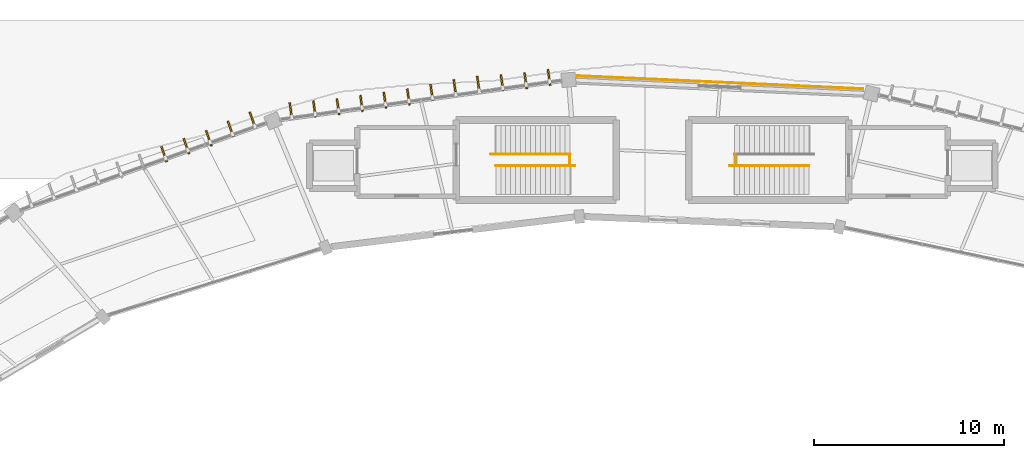
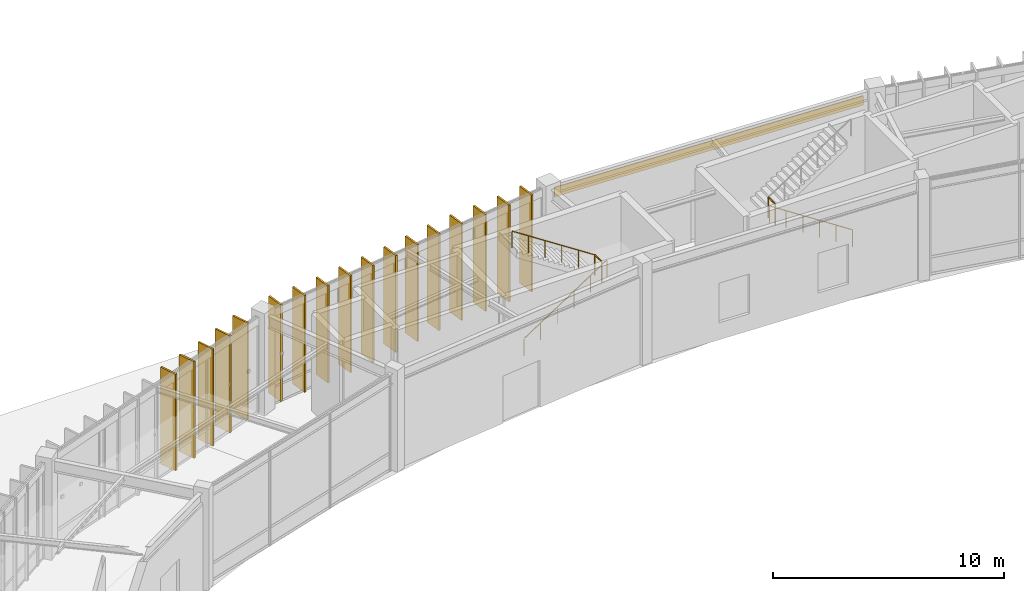
# One storey, part 151 of 157: 17 shading devices, 5 railings, 1 covering.
"""IFC4 building model written with IfcOpenShell, lengths in metres."""

from ifc_helpers import new_model, si_unit, direction, frame, origin, origin_2d, place, context, subcontext, project, spatial, polyline, rectangle, circle, outline, extrude, material, layer, layer_set, type_object, element, save


model = new_model("IFC4")

# Units and contexts
model_context = context("Model", 3, precision=1e-05, world=origin(), true_north=direction((0.0, 1.0)))
body_context = subcontext(model_context, "Body", "Model", "MODEL_VIEW")
ifc_project = project(units=[si_unit("LENGTHUNIT", "METRE"), si_unit("AREAUNIT", "SQUARE_METRE"), si_unit("VOLUMEUNIT", "CUBIC_METRE"), si_unit("PLANEANGLEUNIT", "RADIAN"), si_unit("MASSUNIT", "GRAM", prefix="KILO"), si_unit("THERMODYNAMICTEMPERATUREUNIT", "KELVIN"), si_unit("POWERUNIT", "WATT")], contexts=[model_context])

# Site, building, storey
site_placement = place(None, origin())
site = spatial("IfcSite", under=ifc_project, at=site_placement, CompositionType="ELEMENT")
building_placement = place(site_placement, origin())
building = spatial("IfcBuilding", under=site, at=building_placement, Name="Darbajah Civic Hall", CompositionType="ELEMENT")
storey_placement = place(building_placement, origin())
storey = spatial("IfcBuildingStorey", under=building, at=storey_placement, Name="L00", CompositionType="ELEMENT", Elevation=0.0)

# Railings
ifc_material_1 = material(Name="Brushed Bronze Stainless Steel", Category="steel")
railing_type_1 = type_object("IfcRailingType", Name="Brushed Bronze Handrail", PredefinedType="HANDRAIL", material=ifc_material_1)
railing_placement = place(storey_placement, frame((81.280029296875, 114.699951171875, 0.168701171875)))
element("IfcRailing", 1, at=railing_placement, inside=storey, type_object=railing_type_1, Name="ST01 L00 lower flight handrail", PredefinedType="HANDRAIL", context=body_context, shape_type="SweptSolid", body=[
    extrude(circle(Radius=0.02392578125, at=origin_2d()), frame((0.02294921875, 0.0, 0.910888671875), z_axis=(0.837079509808, 0.0, 0.547081250145), x_axis=(0.0, 1.0, 0.0)), (0.0, 0.0, 1.0), 4.9150390625),
    extrude(circle(Radius=0.02099609375, at=origin_2d()), origin(), (0.0, 0.0, 1.0), 0.867919921875),
    extrude(circle(Radius=0.02099609375, at=origin_2d()), frame((0.83203125, 0.0, 0.543701171875)), (0.0, 0.0, 1.0), 0.867919921875),
    extrude(circle(Radius=0.02099609375, at=origin_2d()), frame((1.6640625, 0.0, 1.08740234375)), (0.0, 0.0, 1.0), 0.867919921875),
    extrude(circle(Radius=0.02099609375, at=origin_2d()), frame((2.495849609375, 0.0, 1.63134765625)), (0.0, 0.0, 1.0), 0.867919921875),
    extrude(circle(Radius=0.02099609375, at=origin_2d()), frame((3.327880859375, 0.0, 2.175048828125)), (0.0, 0.0, 1.0), 0.867919921875),
    extrude(circle(Radius=0.02099609375, at=origin_2d()), frame((4.159912109375, 0.0, 2.71875)), (0.0, 0.0, 1.0), 0.867919921875),
])
for number, where, name in (
    (2, (85.179931640625, 115.300048828125, 2.86865234375), "ST01 L00 upper flight handrail"),
    (3, (97.719970703125, 114.699951171875, 0.168701171875), "ST02 L00 lower flight handrail"),
):
    element("IfcRailing", number, at=place(storey_placement, frame(where)), inside=storey, type_object=railing_type_1, Name=name, PredefinedType="HANDRAIL", context=body_context, shape_type="SweptSolid", body=[
        extrude(circle(Radius=0.02392578125, at=origin_2d()), frame((-0.02294921875, 0.0, 0.910888671875), z_axis=(-0.837079509808, 0.0, 0.547081250145), x_axis=(0.0, -1.0, 0.0)), (0.0, 0.0, 1.0), 4.9150390625),
        extrude(circle(Radius=0.02099609375, at=origin_2d()), origin(), (0.0, 0.0, 1.0), 0.867919921875),
        extrude(circle(Radius=0.02099609375, at=origin_2d()), frame((-0.83203125, 0.0, 0.543701171875)), (0.0, 0.0, 1.0), 0.867919921875),
        extrude(circle(Radius=0.02099609375, at=origin_2d()), frame((-1.6640625, 0.0, 1.08740234375)), (0.0, 0.0, 1.0), 0.867919921875),
        extrude(circle(Radius=0.02099609375, at=origin_2d()), frame((-2.495849609375, 0.0, 1.63134765625)), (0.0, 0.0, 1.0), 0.867919921875),
        extrude(circle(Radius=0.02099609375, at=origin_2d()), frame((-3.327880859375, 0.0, 2.175048828125)), (0.0, 0.0, 1.0), 0.867919921875),
        extrude(circle(Radius=0.02099609375, at=origin_2d()), frame((-4.159912109375, 0.0, 2.71875)), (0.0, 0.0, 1.0), 0.867919921875),
    ])
ifc_material_2 = material(Name="Brushed Bronze and Laminated Safety Glass", Category="glass")
railing_type_2 = type_object("IfcRailingType", Name="Interior Guard Balustrade", PredefinedType="BALUSTRADE", material=ifc_material_2)
for number, where, name in (
    (4, (85.159912109375, 114.699951171875, 2.699951171875), "ST01 L00 landing well guard"),
    (5, (93.840087890625, 114.699951171875, 2.699951171875), "ST02 L00 landing well guard"),
):
    element("IfcRailing", number, at=place(storey_placement, frame(where)), inside=storey, type_object=railing_type_2, Name=name, PredefinedType="BALUSTRADE", context=body_context, shape_type="SweptSolid", body=[
        extrude(circle(Radius=0.02392578125, at=origin_2d()), frame((0.0, 0.02734375, 1.09619140625), z_axis=(0.0, 1.0, 0.0), x_axis=(-1.0, 0.0, 0.0)), (0.0, 0.0, 1.0), 0.54541015625),
        extrude(circle(Radius=0.02099609375, at=origin_2d()), origin(), (0.0, 0.0, 1.0), 1.068115234375),
        extrude(circle(Radius=0.02099609375, at=origin_2d()), frame((0.0, 0.60009765625, 0.0)), (0.0, 0.0, 1.0), 1.068115234375),
    ])

# Covering
ifc_material_3 = material(Name="Qatari Desert Limestone Ashlar", Category="masonry")
ifc_layer = layer(ifc_material_3, 0.044921875, Name="Qatari Desert Limestone Ashlar")
ifc_layer_set = layer_set([ifc_layer], Name="Qatari Desert Limestone Ashlar")
covering_type = type_object("IfcCoveringType", Name="Limestone Facade Cladding", PredefinedType="CLADDING", material=ifc_layer_set)
covering_placement = place(storey_placement, frame((0.0, 0.0, 4.219970703125)))
element("IfcCovering", 6, at=covering_placement, inside=storey, type_object=covering_type, Name="L00 stone frieze cladding EW-V1O-L00-04", PredefinedType="CLADDING", context=body_context, shape_type="SweptSolid", body=[
    extrude(outline(polyline([(100.57470703125, 118.71484375), (85.5283203125, 119.39990234375), (85.5302734375, 119.444580078125), (100.57666015625, 118.759765625), (100.57470703125, 118.71484375)])), origin(), (0.0, 0.0, 1.0), 0.5),
])

# Shading devices
ifc_material_4 = material(Name="Bronze Anodised Aluminium and Teak Composite", Category="aluminium")
shading_device_type = type_object("IfcShadingDeviceType", Name="Vertical Bronze Timber Shading Fin", PredefinedType="USERDEFINED", material=ifc_material_4)
for number, where, z_axis, x_axis, name in (
    (7, (84.073486328125, 119.334228515625, 0.0), (0.0, 0.0, 1.0), (-0.137617420457, 0.990485459553, 0.0), "L00 vertical shading fin VF-05-1"),
    (8, (82.8427734375, 119.163330078125, 0.0), (0.0, 0.0, 1.0), (-0.137617420457, 0.990485459553, 0.0), "L00 vertical shading fin VF-05-2"),
    (9, (81.602294921875, 119.060791015625, 0.0), (0.0, 0.0, 1.0), (-0.137617420457, 0.990485459553, 0.0), "L00 vertical shading fin VF-05-3"),
    (10, (80.360595703125, 118.9697265625, 0.0), (0.0, 0.0, 1.0), (-0.137617420457, 0.990485459553, 0.0), "L00 vertical shading fin VF-05-4"),
    (11, (79.129638671875, 118.80029296875, 0.0), (0.0, 0.0, 1.0), (-0.137617420457, 0.990485459553, 0.0), "L00 vertical shading fin VF-05-5"),
    (12, (77.909423828125, 118.5546875, 0.0), (0.0, 0.0, 1.0), (-0.137617420457, 0.990485459553, 0.0), "L00 vertical shading fin VF-05-6"),
    (13, (76.68896484375, 118.308837890625, 0.0), (0.0, 0.0, 1.0), (-0.137617420457, 0.990485459553, 0.0), "L00 vertical shading fin VF-05-7"),
    (14, (75.458251953125, 118.137939453125, 0.0), (0.0, 0.0, 1.0), (-0.137617420457, 0.990485459553, 0.0), "L00 vertical shading fin VF-05-8"),
    (15, (74.2275390625, 117.967041015625, 0.0), (0.0, 0.0, 1.0), (-0.137617420457, 0.990485459553, 0.0), "L00 vertical shading fin VF-05-9"),
    (16, (72.996826171875, 117.796142578125, 0.0), (0.0, 0.0, 1.0), (-0.137617420457, 0.990485459553, 0.0), "L00 vertical shading fin VF-05-10"),
    (17, (71.7587890625, 117.678466796875, 0.0), (0.0, 0.0, 1.0), (-0.137617420457, 0.990485459553, 0.0), "L00 vertical shading fin VF-05-11"),
    (18, (70.517333984375, 117.584716796875, 0.0), (0.0, 0.0, 1.0), (-0.137617420457, 0.990485459553, 0.0), "L00 vertical shading fin VF-05-12"),
    (19, (68.50341796875, 117.11083984375, 0.0), (0.0, 0.0, 1.0), (-0.334135882844, 0.94252491309, 0.0), "L00 vertical shading fin VF-06-1"),
    (20, (67.352783203125, 116.63427734375, 0.0), (0.0, 0.0, 1.0), (-0.334135882844, 0.94252491309, 0.0), "L00 vertical shading fin VF-06-2"),
    (21, (66.208740234375, 116.139404296875, 0.0), (0.0, 0.0, 1.0), (-0.334135882844, 0.94252491309, 0.0), "L00 vertical shading fin VF-06-3"),
    (22, (65.03662109375, 115.72412109375, 0.0), (0.0, 0.0, 1.0), (-0.334135882844, 0.94252491309, 0.0), "L00 vertical shading fin VF-06-4"),
    (23, (63.8642578125, 115.30859375, 0.0), (0.0, 0.0, 1.0), (-0.334135882844, 0.94252491309, 0.0), "L00 vertical shading fin VF-06-5"),
):
    element("IfcShadingDevice", number, at=place(storey_placement, frame(where, z_axis=z_axis, x_axis=x_axis)), inside=storey, type_object=shading_device_type, Name=name, ObjectType="VERTICAL FIN", PredefinedType="USERDEFINED", context=body_context, shape_type="SweptSolid", body=[
        extrude(rectangle(XDim=0.85009765625, YDim=0.090087890625, at=origin_2d()), origin(), (0.0, 0.0, 1.0), 5.1201171875),
    ])

save(model, "model.ifc")
